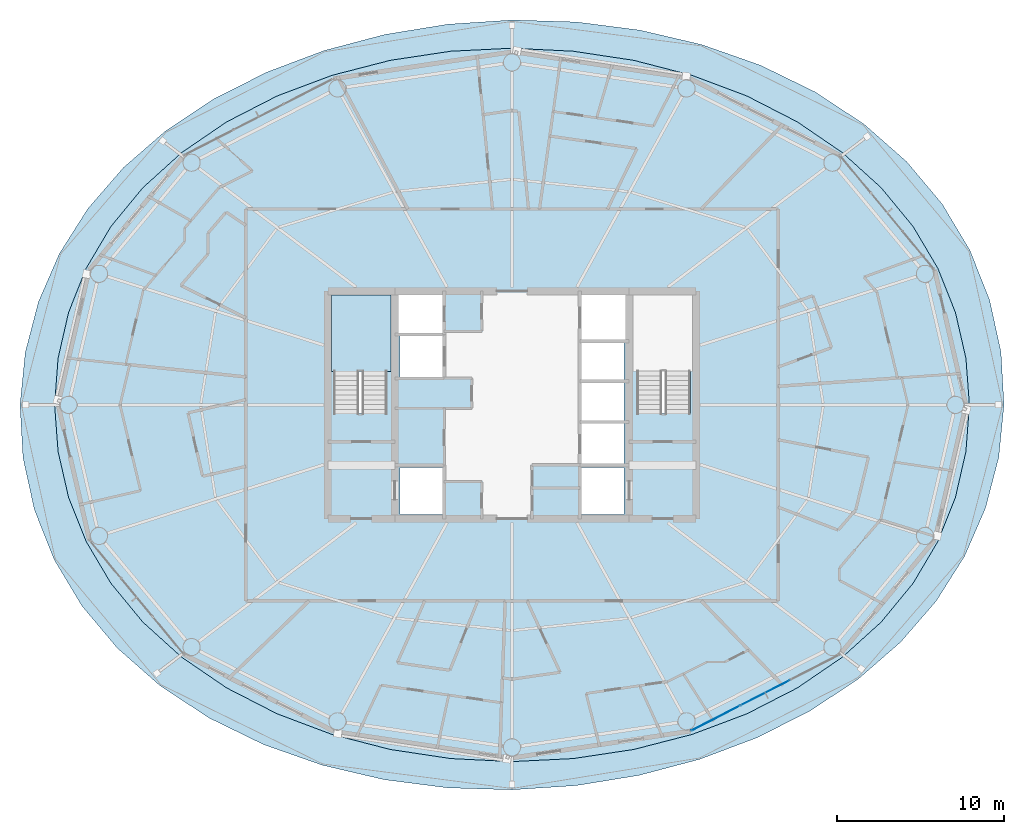
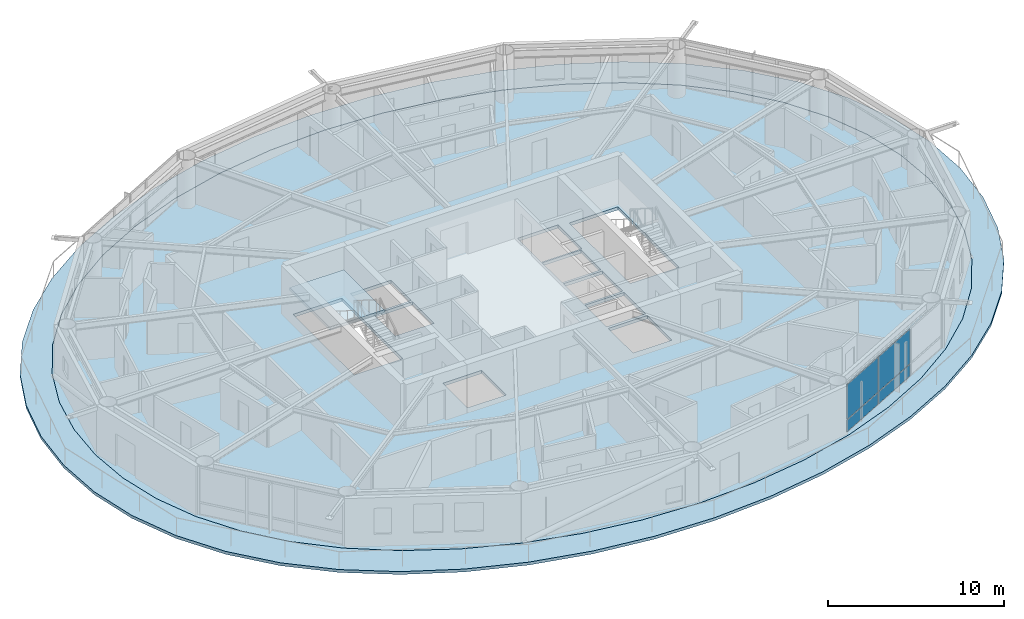
# One storey, part 18 of 28: 4 plates, 3 slabs, 2 elements without a shape of their own.
"""IFC4 building model written with IfcOpenShell, lengths in metres."""

from ifc_helpers import new_model, si_unit, direction, frame, origin, origin_2d, place, context, subcontext, project, spatial, polyline, rectangle, outline, extrude, material, layer, layer_set, type_object, element, aggregate, save


model = new_model("IFC4")

# Units and contexts
model_context = context("Model", 3, precision=1e-05, world=origin(), true_north=direction((0.0, 1.0)))
body_context = subcontext(model_context, "Body", "Model", "MODEL_VIEW")
ifc_project = project(units=[si_unit("LENGTHUNIT", "METRE"), si_unit("AREAUNIT", "SQUARE_METRE"), si_unit("VOLUMEUNIT", "CUBIC_METRE"), si_unit("PLANEANGLEUNIT", "RADIAN"), si_unit("MASSUNIT", "GRAM", prefix="KILO")], contexts=[model_context])

# Site, building, storey
site_placement = place(None, origin())
site = spatial("IfcSite", under=ifc_project, at=site_placement, CompositionType="ELEMENT")
building_placement = place(site_placement, origin())
building = spatial("IfcBuilding", under=site, at=building_placement, Name="Sarneth Arch Tower", CompositionType="ELEMENT")
storey_placement = place(building_placement, frame((0.0, 0.0, 154.199951171875)))
storey = spatial("IfcBuildingStorey", under=building, at=storey_placement, Name="L38", CompositionType="ELEMENT", Elevation=154.199951171875)

# Curtain wall, plates
ifc_material_1 = material(Name="Anodised aluminium Type AA25 and solar-control low-e laminated IGU", Category="aluminium")
ifc_layer_1 = layer(ifc_material_1, 0.169921875)
ifc_layer_set_1 = layer_set([ifc_layer_1], Name="Anodised aluminium Type AA25 and solar-control low-e laminated IGU")
curtain_wall_type = type_object("IfcCurtainWallType", Name="CW-RES-MID", PredefinedType="NOTDEFINED", material=ifc_layer_set_1)
curtain_wall_placement = place(storey_placement, origin())
curtain_wall = element("IfcCurtainWall", 1, at=curtain_wall_placement, inside=storey, type_object=curtain_wall_type, Name="L38 Unitised curtain wall facet 14", PredefinedType="NOTDEFINED")
ifc_material_2 = material(Name="Solar-control low-e laminated IGU", Category="glass")
ifc_layer_2 = layer(ifc_material_2, 0.028076171875)
ifc_layer_set_2 = layer_set([ifc_layer_2], Name="Solar-control low-e laminated IGU")
plate_type = type_object("IfcPlateType", Name="CW-PANEL", PredefinedType="CURTAIN_PANEL", material=ifc_layer_set_2)
plate_1_placement = place(storey_placement, frame((60.16162109375, 23.29296875, 0.06005859375), z_axis=(0.0, 0.0, 1.0), x_axis=(0.88987293003, 0.456208470329, 0.0)))
plate_1 = element("IfcPlate", 2, at=plate_1_placement, type_object=plate_type, Name="Curtain wall glazed vision pane CW-L38-F14/P00-00", PredefinedType="CURTAIN_PANEL", context=body_context, shape_type="SweptSolid", body=[
    extrude(rectangle(XDim=3.248779296875, YDim=0.028076171875, at=origin_2d()), origin(), (0.0, 0.0, 1.0), 0.81005859375),
])
plate_2_placement = place(storey_placement, frame((60.16162109375, 23.29296875, 0.93017578125), z_axis=(0.0, 0.0, 1.0), x_axis=(0.88987293003, 0.456208470329, 0.0)))
plate_2 = element("IfcPlate", 3, at=plate_2_placement, type_object=plate_type, Name="Curtain wall glazed vision pane CW-L38-F14/P00-01", PredefinedType="CURTAIN_PANEL", context=body_context, shape_type="SweptSolid", body=[
    extrude(rectangle(XDim=3.248779296875, YDim=0.028076171875, at=origin_2d()), origin(), (0.0, 0.0, 1.0), 2.389892578125),
])
plate_3_placement = place(storey_placement, frame((63.119384765625, 24.809326171875, 0.06005859375), z_axis=(0.0, 0.0, 1.0), x_axis=(0.88987293003, 0.456208470329, 0.0)))
plate_3 = element("IfcPlate", 4, at=plate_3_placement, type_object=plate_type, Name="Curtain wall glazed vision pane CW-L38-F14/P01-00", PredefinedType="CURTAIN_PANEL", context=body_context, shape_type="SweptSolid", body=[
    extrude(rectangle(XDim=3.27880859375, YDim=0.028076171875, at=origin_2d()), origin(), (0.0, 0.0, 1.0), 0.81005859375),
])
plate_4_placement = place(storey_placement, frame((63.119384765625, 24.809326171875, 0.93017578125), z_axis=(0.0, 0.0, 1.0), x_axis=(0.88987293003, 0.456208470329, 0.0)))
plate_4 = element("IfcPlate", 5, at=plate_4_placement, type_object=plate_type, Name="Curtain wall glazed vision pane CW-L38-F14/P01-01", PredefinedType="CURTAIN_PANEL", context=body_context, shape_type="SweptSolid", body=[
    extrude(rectangle(XDim=3.27880859375, YDim=0.028076171875, at=origin_2d()), origin(), (0.0, 0.0, 1.0), 2.389892578125),
])
aggregate(curtain_wall, [plate_1, plate_2, plate_3, plate_4])

# Slab
ifc_material_3 = material(Name="Concrete C50/60", Category="concrete")
ifc_layer_3 = layer(ifc_material_3, 0.199951171875)
ifc_layer_set_3 = layer_set([ifc_layer_3], Name="Concrete C50/60")
slab_type_1 = type_object("IfcSlabType", Name="SLAB-BALC-200", PredefinedType="FLOOR", material=ifc_layer_set_3)
slab_1_placement = place(storey_placement, frame((0.0, 0.0, -0.199951171875)))
element("IfcSlab", 6, at=slab_1_placement, inside=storey, type_object=slab_type_1, Name="L38 Helical balcony band slab", PredefinedType="FLOOR", context=body_context, shape_type="SweptSolid", body=[
    extrude(outline(polyline([(77.379150390625, 42.0), (77.200439453125, 45.154052734375), (76.52294921875, 48.252685546875), (75.34912109375, 51.220947265625), (73.6904296875, 53.995361328125), (71.568115234375, 56.52490234375), (69.016357421875, 58.76953125), (66.0830078125, 60.69775390625), (62.828857421875, 62.28564453125), (59.323486328125, 63.51611328125), (55.63818359375, 64.37841796875), (51.84228515625, 64.86767578125), (48.0, 64.98388671875), (44.171142578125, 64.732177734375), (40.4140625, 64.120849609375), (36.787841796875, 63.161376953125), (33.353271484375, 61.868408203125), (30.171630859375, 60.25830078125), (27.2998046875, 58.349365234375), (24.78662109375, 56.16162109375), (22.669677734375, 53.716552734375), (20.9755859375, 51.039794921875), (19.724365234375, 48.1630859375), (18.93359375, 45.130126953125), (18.620849609375, 42.0), (18.799560546875, 38.845947265625), (19.47705078125, 35.747314453125), (20.65087890625, 32.779052734375), (22.3095703125, 30.004638671875), (24.431884765625, 27.47509765625), (26.983642578125, 25.23046875), (29.9169921875, 23.30224609375), (33.171142578125, 21.71435546875), (36.676513671875, 20.48388671875), (40.36181640625, 19.62158203125), (44.15771484375, 19.13232421875), (48.0, 19.01611328125), (51.828857421875, 19.267822265625), (55.5859375, 19.879150390625), (59.212158203125, 20.838623046875), (62.646728515625, 22.131591796875), (65.828369140625, 23.74169921875), (68.7001953125, 25.650634765625), (71.21337890625, 27.83837890625), (73.330322265625, 30.283447265625), (75.0244140625, 32.960205078125), (76.275634765625, 35.8369140625), (77.06640625, 38.869873046875), (77.379150390625, 42.0)]), holes=[polyline([(75.313232421875, 42.0), (75.10595703125, 44.7802734375), (74.48095703125, 47.512939453125), (73.431396484375, 50.151123046875), (71.9521484375, 52.64990234375), (70.0458984375, 54.966552734375), (67.730712890625, 57.061279296875), (65.04052734375, 58.8984375), (62.025390625, 60.4462890625), (58.7470703125, 61.6787109375), (55.27197265625, 62.57421875), (51.667724609375, 63.11767578125), (48.0, 63.300048828125), (44.332275390625, 63.11767578125), (40.72802734375, 62.57421875), (37.2529296875, 61.6787109375), (33.974609375, 60.4462890625), (30.95947265625, 58.8984375), (28.269287109375, 57.061279296875), (25.9541015625, 54.966552734375), (24.0478515625, 52.64990234375), (22.568603515625, 50.151123046875), (21.51904296875, 47.512939453125), (20.89404296875, 44.7802734375), (20.686767578125, 42.0), (20.89404296875, 39.2197265625), (21.51904296875, 36.487060546875), (22.568603515625, 33.848876953125), (24.0478515625, 31.35009765625), (25.9541015625, 29.033447265625), (28.269287109375, 26.938720703125), (30.95947265625, 25.1015625), (33.974609375, 23.5537109375), (37.2529296875, 22.3212890625), (40.72802734375, 21.42578125), (44.332275390625, 20.88232421875), (48.0, 20.699951171875), (51.667724609375, 20.88232421875), (55.27197265625, 21.42578125), (58.7470703125, 22.3212890625), (62.025390625, 23.5537109375), (65.04052734375, 25.1015625), (67.730712890625, 26.938720703125), (70.0458984375, 29.033447265625), (71.9521484375, 31.35009765625), (73.431396484375, 33.848876953125), (74.48095703125, 36.487060546875), (75.10595703125, 39.2197265625), (75.313232421875, 42.0)])]), origin(), (0.0, 0.0, 1.0), 0.199951171875),
])

# Stair, slab
ifc_material_4 = material(Name="Concrete C50/60", Category="concrete")
stair_type = type_object("IfcStairType", Name="STAIR-CORE-RC", PredefinedType="HALF_TURN_STAIR", material=ifc_material_4)
stair_placement = place(storey_placement, origin())
stair = element("IfcStair", 7, at=stair_placement, inside=storey, type_object=stair_type, Name="L38 Core Exit Stair 1", PredefinedType="HALF_TURN_STAIR")
ifc_material_5 = material(Name="Concrete C50/60", Category="concrete")
ifc_layer_4 = layer(ifc_material_5, 0.199951171875)
ifc_layer_set_4 = layer_set([ifc_layer_4], Name="Concrete C50/60")
slab_type_2 = type_object("IfcSlabType", Name="SLAB-LANDING-200", PredefinedType="LANDING", material=ifc_layer_set_4)
slab_2_placement = place(storey_placement, frame((0.0, 0.0, 1.60009765625)))
slab_2 = element("IfcSlab", 8, at=slab_2_placement, type_object=slab_type_2, Name="ST-1 landing 1", PredefinedType="LANDING", context=body_context, shape_type="SweptSolid", body=[
    extrude(outline(polyline([(37.22509765625, 43.985107421875), (40.77490234375, 43.985107421875), (40.77490234375, 48.574951171875), (37.22509765625, 48.574951171875), (37.22509765625, 43.985107421875)])), origin(), (0.0, 0.0, 1.0), 0.199951171875),
])
aggregate(stair, [slab_2])

# Slab
ifc_material_6 = material(Name="Concrete C50/60", Category="concrete")
ifc_layer_5 = layer(ifc_material_6, 0.219970703125)
ifc_layer_set_5 = layer_set([ifc_layer_5], Name="Concrete C50/60")
slab_type_3 = type_object("IfcSlabType", Name="SLAB-TOWER-220", PredefinedType="FLOOR", material=ifc_layer_set_5)
slab_3_placement = place(storey_placement, frame((0.0, 0.0, -0.219970703125)))
element("IfcSlab", 9, at=slab_3_placement, inside=storey, type_object=slab_type_3, Name="L38 Elliptical floor slab", PredefinedType="FLOOR", context=body_context, shape_type="SweptSolid", body=[
    extrude(outline(polyline([(75.313232421875, 42.0), (75.10595703125, 44.7802734375), (74.48095703125, 47.512939453125), (73.431396484375, 50.151123046875), (71.9521484375, 52.64990234375), (70.0458984375, 54.966552734375), (67.730712890625, 57.061279296875), (65.04052734375, 58.8984375), (62.025390625, 60.4462890625), (58.7470703125, 61.6787109375), (55.27197265625, 62.57421875), (51.667724609375, 63.11767578125), (48.0, 63.300048828125), (44.332275390625, 63.11767578125), (40.72802734375, 62.57421875), (37.2529296875, 61.6787109375), (33.974609375, 60.4462890625), (30.95947265625, 58.8984375), (28.269287109375, 57.061279296875), (25.9541015625, 54.966552734375), (24.0478515625, 52.64990234375), (22.568603515625, 50.151123046875), (21.51904296875, 47.512939453125), (20.89404296875, 44.7802734375), (20.686767578125, 42.0), (20.89404296875, 39.2197265625), (21.51904296875, 36.487060546875), (22.568603515625, 33.848876953125), (24.0478515625, 31.35009765625), (25.9541015625, 29.033447265625), (28.269287109375, 26.938720703125), (30.95947265625, 25.1015625), (33.974609375, 23.5537109375), (37.2529296875, 22.3212890625), (40.72802734375, 21.42578125), (44.332275390625, 20.88232421875), (48.0, 20.699951171875), (51.667724609375, 20.88232421875), (55.27197265625, 21.42578125), (58.7470703125, 22.3212890625), (62.025390625, 23.5537109375), (65.04052734375, 25.1015625), (67.730712890625, 26.938720703125), (70.0458984375, 29.033447265625), (71.9521484375, 31.35009765625), (73.431396484375, 33.848876953125), (74.48095703125, 36.487060546875), (75.10595703125, 39.2197265625), (75.313232421875, 42.0)]), holes=[polyline([(37.35009765625, 41.489990234375), (40.550048828125, 41.489990234375), (40.550048828125, 48.39990234375), (37.35009765625, 48.39990234375), (37.35009765625, 41.489990234375)]), polyline([(55.449951171875, 41.489990234375), (58.64990234375, 41.489990234375), (58.64990234375, 48.39990234375), (55.449951171875, 48.39990234375), (55.449951171875, 41.489990234375)]), polyline([(41.199951171875, 46.25), (43.85009765625, 46.25), (43.85009765625, 48.550048828125), (41.199951171875, 48.550048828125), (41.199951171875, 46.25)]), polyline([(41.300048828125, 35.449951171875), (43.85009765625, 35.449951171875), (43.85009765625, 38.25), (41.300048828125, 38.25), (41.300048828125, 35.449951171875)]), polyline([(52.14990234375, 35.449951171875), (54.699951171875, 35.449951171875), (54.699951171875, 38.25), (52.14990234375, 38.25), (52.14990234375, 35.449951171875)]), polyline([(52.14990234375, 45.85009765625), (54.800048828125, 45.85009765625), (54.800048828125, 48.550048828125), (52.14990234375, 48.550048828125), (52.14990234375, 45.85009765625)]), polyline([(41.300048828125, 43.64990234375), (43.85009765625, 43.64990234375), (43.85009765625, 46.10009765625), (41.300048828125, 46.10009765625), (41.300048828125, 43.64990234375)]), polyline([(52.14990234375, 38.449951171875), (54.699951171875, 38.449951171875), (54.699951171875, 40.89990234375), (52.14990234375, 40.89990234375), (52.14990234375, 38.449951171875)]), polyline([(52.14990234375, 41.050048828125), (54.699951171875, 41.050048828125), (54.699951171875, 43.35009765625), (52.14990234375, 43.35009765625), (52.14990234375, 41.050048828125)]), polyline([(52.14990234375, 43.5), (54.699951171875, 43.5), (54.699951171875, 45.75), (52.14990234375, 45.75), (52.14990234375, 43.5)])]), origin(), (0.0, 0.0, 1.0), 0.219970703125),
])

save(model, "model.ifc")
